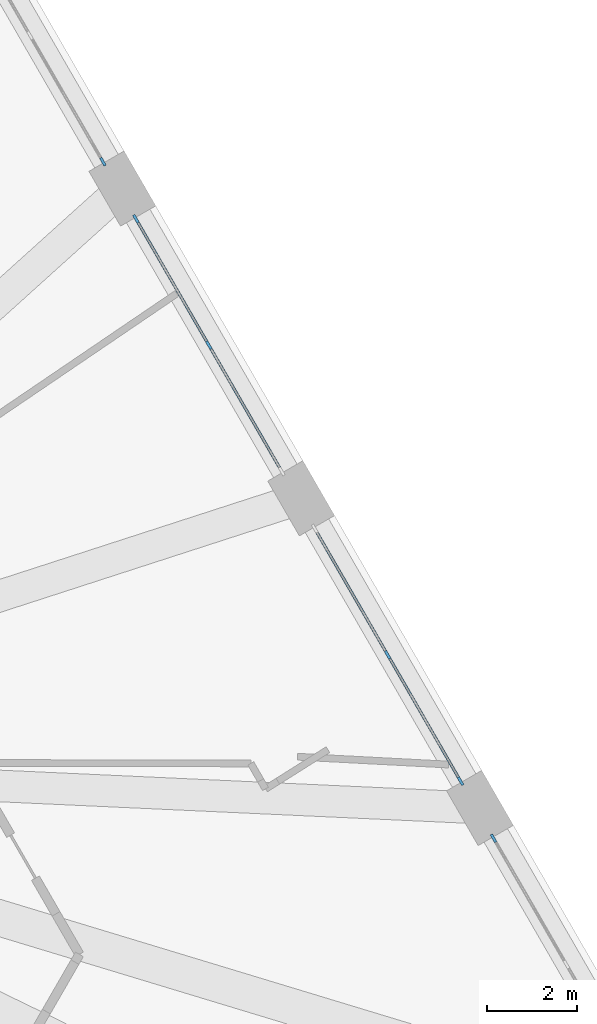
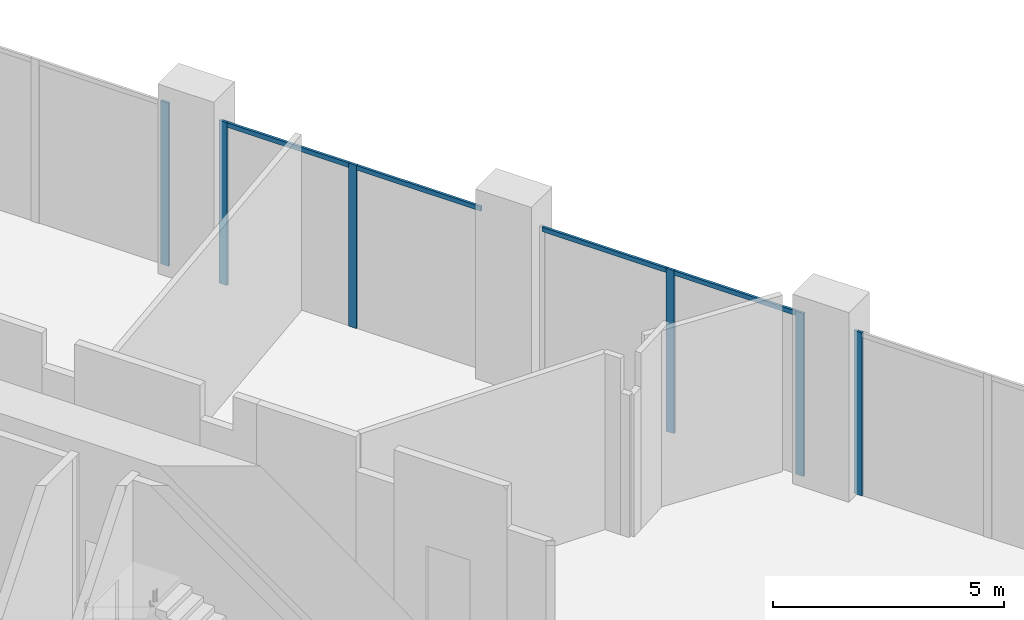
# One storey, part 10 of 20: 10 members, 4 elements without a shape of their own.
"""IFC4 building model written with IfcOpenShell, lengths in metres."""

from ifc_helpers import new_model, si_unit, direction, frame, origin, origin_2d, place, context, subcontext, project, spatial, rectangle, extrude, material, layer, layer_set, material_profile, profile_set, type_object, element, aggregate, save


model = new_model("IFC4")

# Units and contexts
model_context = context("Model", 3, precision=1e-05, world=origin(), true_north=direction((0.0, 1.0)))
body_context = subcontext(model_context, "Body", "Model", "MODEL_VIEW")
ifc_project = project(units=[si_unit("LENGTHUNIT", "METRE"), si_unit("AREAUNIT", "SQUARE_METRE"), si_unit("VOLUMEUNIT", "CUBIC_METRE"), si_unit("PLANEANGLEUNIT", "RADIAN"), si_unit("MASSUNIT", "GRAM", prefix="KILO")], contexts=[model_context])

# Site, building, storey
site_placement = place(None, origin())
site = spatial("IfcSite", under=ifc_project, at=site_placement, CompositionType="ELEMENT")
building_placement = place(site_placement, origin())
building = spatial("IfcBuilding", under=site, at=building_placement, Name="Tramontana Tower", CompositionType="ELEMENT")
storey_placement = place(building_placement, frame((0.0, 0.0, 15.0)))
storey = spatial("IfcBuildingStorey", under=building, at=storey_placement, Name="L02", CompositionType="ELEMENT", Elevation=15.0)

# Curtain wall, member
ifc_material_1 = material(Name="Aluminum extrusion", Category="aluminium")
ifc_layer = layer(ifc_material_1, 0.14990234375)
ifc_layer_set = layer_set([ifc_layer], Name="CW2 Podium amenity curtain wall")
curtain_wall_type = type_object("IfcCurtainWallType", Name="CW2 Podium amenity curtain wall", PredefinedType="NOTDEFINED", material=ifc_layer_set)
curtain_wall_1_placement = place(storey_placement, origin())
curtain_wall_1 = element("IfcCurtainWall", 1, at=curtain_wall_1_placement, inside=storey, type_object=curtain_wall_type, Name="CW2 curtain wall L02 face 2 bay 2", PredefinedType="NOTDEFINED")
ifc_material_2 = material(Name="Aluminum extrusion", Category="aluminium")
ifc_material_profile_1 = material_profile(ifc_material_2, rectangle(XDim=0.06005859375, YDim=0.199951171875, at=origin_2d()), Name="CW2-M Mullion 60 x 200")
ifc_profile_set_1 = profile_set([ifc_material_profile_1], Name="Aluminum extrusion")
member_type_1 = type_object("IfcMemberType", Name="CW2-M Mullion 60 x 200", PredefinedType="MULLION", material=ifc_profile_set_1)
member_1_placement = place(storey_placement, frame((22.30322265625, -1.680419921875, 0.0), z_axis=(0.0, 0.0, 1.0), x_axis=(-0.866025403784, -0.5, 0.0)))
member_1 = element("IfcMember", 2, at=member_1_placement, type_object=member_type_1, Name="CW2 curtain wall L02 face 2 bay 2 mullion 3", PredefinedType="MULLION", context=body_context, shape_type="SweptSolid", body=[
    extrude(rectangle(XDim=0.06005859375, YDim=0.199951171875, at=origin_2d()), origin(), (0.0, 0.0, 1.0), 4.300048828125),
])
aggregate(curtain_wall_1, [member_1])

# Curtain wall, members
curtain_wall_2_placement = place(storey_placement, origin())
curtain_wall_2 = element("IfcCurtainWall", 3, at=curtain_wall_2_placement, inside=storey, type_object=curtain_wall_type, Name="CW2 curtain wall L02 face 2 bay 3", PredefinedType="NOTDEFINED")
member_2_placement = place(storey_placement, frame((21.5732421875, -0.416015625, 0.0), z_axis=(0.0, 0.0, 1.0), x_axis=(-0.866025403784, -0.5, 0.0)))
member_2 = element("IfcMember", 4, at=member_2_placement, type_object=member_type_1, Name="CW2 curtain wall L02 face 2 bay 3 mullion 1", PredefinedType="MULLION", context=body_context, shape_type="SweptSolid", body=[
    extrude(rectangle(XDim=0.06005859375, YDim=0.199951171875, at=origin_2d()), origin(), (0.0, 0.0, 1.0), 4.300048828125),
])
member_3_placement = place(storey_placement, frame((19.958740234375, 2.38037109375, 0.0), z_axis=(0.0, 0.0, 1.0), x_axis=(-0.866025403784, -0.5, 0.0)))
member_3 = element("IfcMember", 5, at=member_3_placement, type_object=member_type_1, Name="CW2 curtain wall L02 face 2 bay 3 mullion 2", PredefinedType="MULLION", context=body_context, shape_type="SweptSolid", body=[
    extrude(rectangle(XDim=0.06005859375, YDim=0.199951171875, at=origin_2d()), origin(), (0.0, 0.0, 1.0), 4.300048828125),
])

curtain_wall_3_placement = place(storey_placement, origin())
curtain_wall_3 = element("IfcCurtainWall", 6, at=curtain_wall_3_placement, inside=storey, type_object=curtain_wall_type, Name="CW2 curtain wall L02 face 2 bay 4", PredefinedType="NOTDEFINED")
member_4_placement = place(storey_placement, frame((15.999755859375, 9.237548828125, 0.0), z_axis=(0.0, 0.0, 1.0), x_axis=(-0.866025403784, -0.5, 0.0)))
member_4 = element("IfcMember", 7, at=member_4_placement, type_object=member_type_1, Name="CW2 curtain wall L02 face 2 bay 4 mullion 2", PredefinedType="MULLION", context=body_context, shape_type="SweptSolid", body=[
    extrude(rectangle(XDim=0.06005859375, YDim=0.199951171875, at=origin_2d()), origin(), (0.0, 0.0, 1.0), 4.300048828125),
])
member_5_placement = place(storey_placement, frame((14.38525390625, 12.033935546875, 0.0), z_axis=(0.0, 0.0, 1.0), x_axis=(-0.866025403784, -0.5, 0.0)))
member_5 = element("IfcMember", 8, at=member_5_placement, type_object=member_type_1, Name="CW2 curtain wall L02 face 2 bay 4 mullion 3", PredefinedType="MULLION", context=body_context, shape_type="SweptSolid", body=[
    extrude(rectangle(XDim=0.06005859375, YDim=0.199951171875, at=origin_2d()), origin(), (0.0, 0.0, 1.0), 4.300048828125),
])

# Curtain wall, member
curtain_wall_4_placement = place(storey_placement, origin())
curtain_wall_4 = element("IfcCurtainWall", 9, at=curtain_wall_4_placement, inside=storey, type_object=curtain_wall_type, Name="CW2 curtain wall L02 face 2 bay 5", PredefinedType="NOTDEFINED")
member_6_placement = place(storey_placement, frame((13.6552734375, 13.29833984375, 0.0), z_axis=(0.0, 0.0, 1.0), x_axis=(-0.866025403784, -0.5, 0.0)))
member_6 = element("IfcMember", 10, at=member_6_placement, type_object=member_type_1, Name="CW2 curtain wall L02 face 2 bay 5 mullion 1", PredefinedType="MULLION", context=body_context, shape_type="SweptSolid", body=[
    extrude(rectangle(XDim=0.06005859375, YDim=0.199951171875, at=origin_2d()), origin(), (0.0, 0.0, 1.0), 4.300048828125),
])
aggregate(curtain_wall_4, [member_6])

# Member
ifc_material_3 = material(Name="Aluminum extrusion", Category="aluminium")
ifc_material_profile_2 = material_profile(ifc_material_3, rectangle(XDim=0.06005859375, YDim=0.1201171875, at=origin_2d()), Name="CW2-T Transom 60 x 120")
ifc_profile_set_2 = profile_set([ifc_material_profile_2], Name="Aluminum extrusion")
member_type_2 = type_object("IfcMemberType", Name="CW2-T Transom 60 x 120", PredefinedType="USERDEFINED", material=ifc_profile_set_2)
member_7_placement = place(storey_placement, frame((21.558349609375, -0.39013671875, 4.239990234375), z_axis=(-0.49996696679, 0.866044474677, 0.0), x_axis=(-0.866044474677, -0.49996696679, 0.0)))
member_7 = element("IfcMember", 11, at=member_7_placement, type_object=member_type_2, Name="CW2 curtain wall L02 face 2 bay 3 transom 1.1", ObjectType="TRANSOM", PredefinedType="USERDEFINED", context=body_context, shape_type="SweptSolid", body=[
    extrude(rectangle(XDim=0.06005859375, YDim=0.1201171875, at=origin_2d()), origin(), (0.0, 0.0, 1.0), 3.169189453125),
])

member_8_placement = place(storey_placement, frame((19.94384765625, 2.40625, 4.239990234375), z_axis=(-0.500000324964, 0.866025216166, 0.0), x_axis=(-0.866025216166, -0.500000324964, 0.0)))
member_8 = element("IfcMember", 12, at=member_8_placement, type_object=member_type_2, Name="CW2 curtain wall L02 face 2 bay 3 transom 2.1", ObjectType="TRANSOM", PredefinedType="USERDEFINED", context=body_context, shape_type="SweptSolid", body=[
    extrude(rectangle(XDim=0.06005859375, YDim=0.1201171875, at=origin_2d()), origin(), (0.0, 0.0, 1.0), 3.1689453125),
])

aggregate(curtain_wall_2, [member_2, member_3, member_7, member_8])

member_9_placement = place(storey_placement, frame((17.599365234375, 6.467041015625, 4.239990234375), z_axis=(-0.500000324964, 0.866025216166, 0.0), x_axis=(-0.866025216166, -0.500000324964, 0.0)))
member_9 = element("IfcMember", 13, at=member_9_placement, type_object=member_type_2, Name="CW2 curtain wall L02 face 2 bay 4 transom 1.1", ObjectType="TRANSOM", PredefinedType="USERDEFINED", context=body_context, shape_type="SweptSolid", body=[
    extrude(rectangle(XDim=0.06005859375, YDim=0.1201171875, at=origin_2d()), origin(), (0.0, 0.0, 1.0), 3.1689453125),
])

member_10_placement = place(storey_placement, frame((15.98486328125, 9.263427734375, 4.239990234375), z_axis=(-0.500000324964, 0.866025216166, 0.0), x_axis=(-0.866025216166, -0.500000324964, 0.0)))
member_10 = element("IfcMember", 14, at=member_10_placement, type_object=member_type_2, Name="CW2 curtain wall L02 face 2 bay 4 transom 2.1", ObjectType="TRANSOM", PredefinedType="USERDEFINED", context=body_context, shape_type="SweptSolid", body=[
    extrude(rectangle(XDim=0.06005859375, YDim=0.1201171875, at=origin_2d()), origin(), (0.0, 0.0, 1.0), 3.1689453125),
])

aggregate(curtain_wall_3, [member_4, member_5, member_9, member_10])

save(model, "model.ifc")
